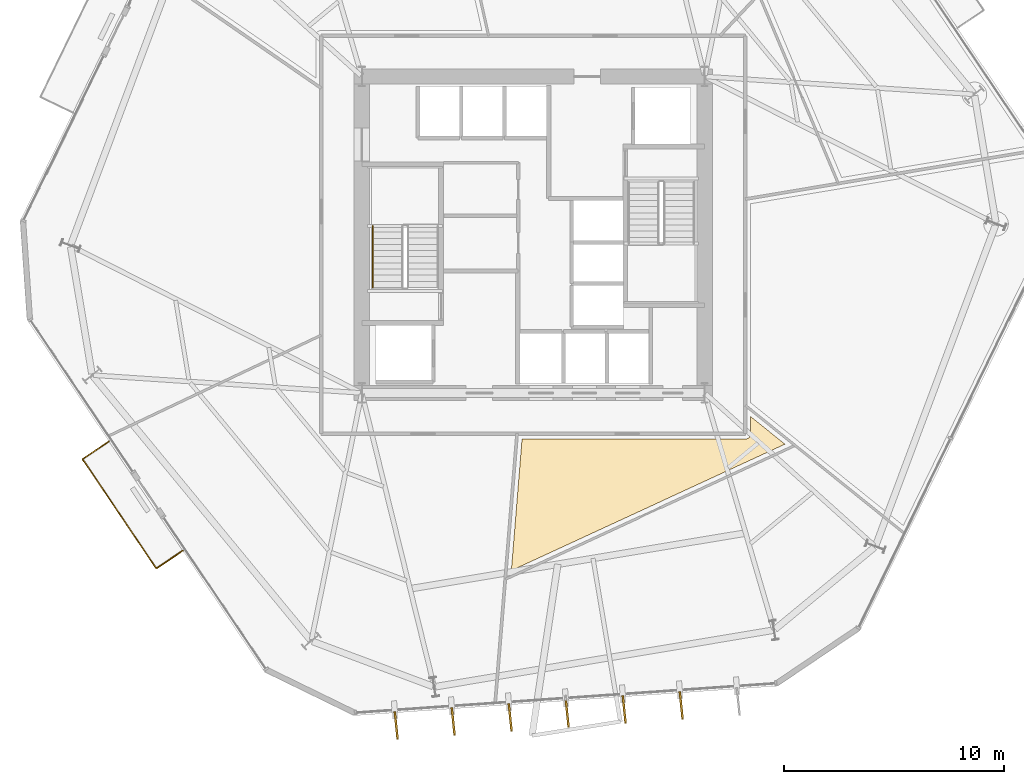
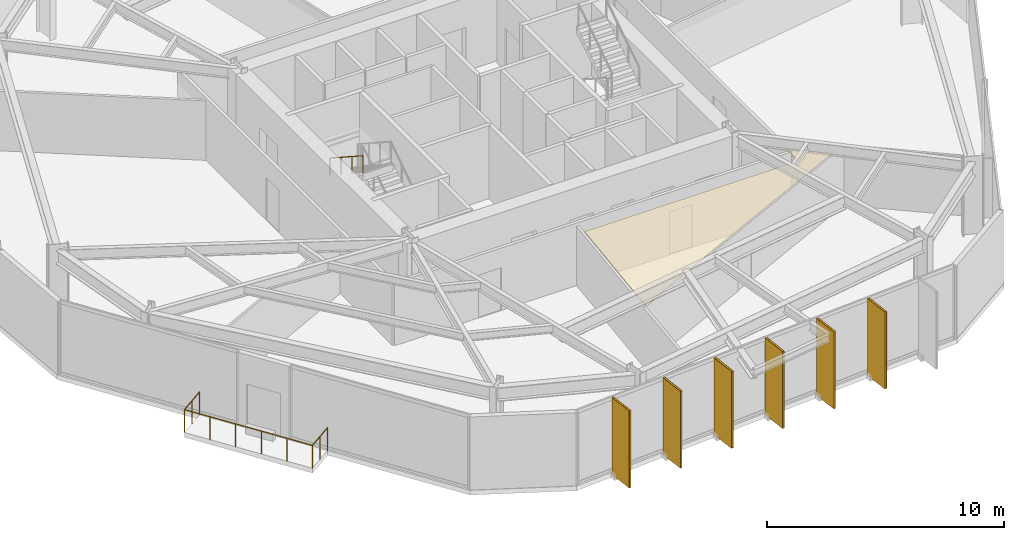
# One storey, part 8 of 10: 7 coverings, 6 shading devices, 2 railings.
"""IFC4 building model written with IfcOpenShell, lengths in metres."""

from ifc_helpers import new_model, si_unit, direction, frame, origin, origin_2d, place, context, subcontext, project, spatial, polyline, rectangle, circle, outline, extrude, material, layer, layer_set, type_object, element, save


model = new_model("IFC4")

# Units and contexts
model_context = context("Model", 3, precision=1e-05, world=origin(), true_north=direction((0.0, 1.0)))
body_context = subcontext(model_context, "Body", "Model", "MODEL_VIEW")
ifc_project = project(units=[si_unit("LENGTHUNIT", "METRE"), si_unit("AREAUNIT", "SQUARE_METRE"), si_unit("VOLUMEUNIT", "CUBIC_METRE"), si_unit("PLANEANGLEUNIT", "RADIAN"), si_unit("MASSUNIT", "GRAM", prefix="KILO")], contexts=[model_context])

# Site, building, storey
site_placement = place(None, origin())
site = spatial("IfcSite", under=ifc_project, at=site_placement, CompositionType="ELEMENT")
building_placement = place(site_placement, origin())
building = spatial("IfcBuilding", under=site, at=building_placement, Name="Kranzbogen Civic Tower", CompositionType="ELEMENT")
storey_placement = place(building_placement, frame((0.0, 0.0, 36.0)))
storey = spatial("IfcBuildingStorey", under=building, at=storey_placement, Name="L08", CompositionType="ELEMENT", Elevation=36.0)

# Coverings
ifc_material_1 = material(Name="Pale Anodised Aluminium", Category="aluminium")
ifc_layer_1 = layer(ifc_material_1, 0.02490234375, Name="Pale Anodised Aluminium")
ifc_layer_set_1 = layer_set([ifc_layer_1], Name="Pale Anodised Aluminium")
covering_type_1 = type_object("IfcCoveringType", Name="Anodised Aluminium Vertical Fin Cladding 25 mm", PredefinedType="CLADDING", material=ifc_layer_set_1)
for number, where, z_axis, x_axis, name in (
    (1, (18.763916015625, 2.673095703125, -0.139892578125), (0.0, 0.0, 1.0), (0.104059794277, -0.994571042819, 0.0), "L08 vertical fin pale-metal cladding F5-1"),
    (2, (21.35693359375, 2.85498046875, -0.139892578125), (0.0, 0.0, 1.0), (0.104059794277, -0.994571042819, 0.0), "L08 vertical fin pale-metal cladding F5-2"),
    (3, (23.950927734375, 3.035888671875, -0.139892578125), (0.0, 0.0, 1.0), (0.104059794277, -0.994571042819, 0.0), "L08 vertical fin pale-metal cladding F5-3"),
    (4, (26.544921875, 3.217041015625, -0.139892578125), (0.0, 0.0, 1.0), (0.104059794277, -0.994571042819, 0.0), "L08 vertical fin pale-metal cladding F5-4"),
    (5, (29.137939453125, 3.39892578125, -0.139892578125), (0.0, 0.0, 1.0), (0.104059794277, -0.994571042819, 0.0), "L08 vertical fin pale-metal cladding F5-5"),
    (6, (31.73193359375, 3.580078125, -0.139892578125), (0.0, 0.0, 1.0), (0.104059794277, -0.994571042819, 0.0), "L08 vertical fin pale-metal cladding F5-6"),
):
    element("IfcCovering", number, at=place(storey_placement, frame(where, z_axis=z_axis, x_axis=x_axis)), inside=storey, type_object=covering_type_1, Name=name, PredefinedType="CLADDING", context=body_context, shape_type="SweptSolid", body=[
        extrude(rectangle(XDim=1.25, YDim=0.10009765625, at=origin_2d()), origin(), (0.0, 0.0, 1.0), 3.9599609375),
    ])

# Shading devices
ifc_material_2 = material(Name="Anodised Bronze Aluminium", Category="aluminium")
shading_device_type = type_object("IfcShadingDeviceType", Name="Anodised Bronze Vertical Facade Fin 1250x80", PredefinedType="USERDEFINED", material=ifc_material_2)
for number, where, z_axis, x_axis, name in (
    (7, (18.763916015625, 2.673095703125, -0.139892578125), (0.0, 0.0, 1.0), (0.104059794277, -0.994571042819, 0.0), "L08 vertical exterior shading fin F5-1"),
    (8, (21.35693359375, 2.85498046875, -0.139892578125), (0.0, 0.0, 1.0), (0.104059794277, -0.994571042819, 0.0), "L08 vertical exterior shading fin F5-2"),
    (9, (23.950927734375, 3.035888671875, -0.139892578125), (0.0, 0.0, 1.0), (0.104059794277, -0.994571042819, 0.0), "L08 vertical exterior shading fin F5-3"),
    (10, (26.544921875, 3.217041015625, -0.139892578125), (0.0, 0.0, 1.0), (0.104059794277, -0.994571042819, 0.0), "L08 vertical exterior shading fin F5-4"),
    (11, (29.137939453125, 3.39892578125, -0.139892578125), (0.0, 0.0, 1.0), (0.104059794277, -0.994571042819, 0.0), "L08 vertical exterior shading fin F5-5"),
    (12, (31.73193359375, 3.580078125, -0.139892578125), (0.0, 0.0, 1.0), (0.104059794277, -0.994571042819, 0.0), "L08 vertical exterior shading fin F5-6"),
):
    element("IfcShadingDevice", number, at=place(storey_placement, frame(where, z_axis=z_axis, x_axis=x_axis)), inside=storey, type_object=shading_device_type, Name=name, ObjectType="FIN", PredefinedType="USERDEFINED", context=body_context, shape_type="SweptSolid", body=[
        extrude(rectangle(XDim=1.25, YDim=0.080078125, at=origin_2d()), origin(), (0.0, 0.0, 1.0), 3.9599609375),
    ])

# Railing
railing_type_1 = type_object("IfcRailingType", Name="Cantilevered Balcony Glass and Bronze Balustrade 1200", PredefinedType="BALUSTRADE", material=ifc_material_2)
railing_1_placement = place(storey_placement, frame((5.695068359375, 15.596923828125, 0.0)))
element("IfcRailing", 13, at=railing_1_placement, inside=storey, type_object=railing_type_1, Name="L08 exterior terrace balustrade L08-TB2", PredefinedType="BALUSTRADE", context=body_context, shape_type="SweptSolid", body=[
    extrude(circle(Radius=0.02392578125, at=origin_2d()), frame((0.0, 0.0, 1.17578125), z_axis=(-0.828981368781, -0.559276219961, 0.0), x_axis=(0.559276219961, -0.828981368781, 0.0)), (0.0, 0.0, 1.0), 1.4501953125),
    extrude(circle(Radius=0.02392578125, at=origin_2d()), frame((-1.2021484375, -0.81103515625, 1.17578125), z_axis=(0.559199559515, -0.829033082958, 0.0), x_axis=(0.829033082958, 0.559199559515, 0.0)), (0.0, 0.0, 1.0), 5.99951171875),
    extrude(circle(Radius=0.02392578125, at=origin_2d()), frame((2.15283203125, -5.784912109375, 1.17578125), z_axis=(0.828981368781, 0.559276219961, 0.0), x_axis=(-0.559276219961, 0.828981368781, 0.0)), (0.0, 0.0, 1.0), 1.4501953125),
    extrude(circle(Radius=0.02099609375, at=origin_2d()), origin(), (0.0, 0.0, 1.0), 1.15185546875),
    extrude(circle(Radius=0.02099609375, at=origin_2d()), frame((-0.60107421875, -0.405517578125, 0.0)), (0.0, 0.0, 1.0), 1.15185546875),
    extrude(circle(Radius=0.02099609375, at=origin_2d()), frame((-1.2021484375, -0.81103515625, 0.0)), (0.0, 0.0, 1.0), 1.15185546875),
    extrude(circle(Radius=0.02099609375, at=origin_2d()), frame((-0.53125, -1.805908203125, 0.0)), (0.0, 0.0, 1.0), 1.15185546875),
    extrude(circle(Radius=0.02099609375, at=origin_2d()), frame((0.139892578125, -2.800537109375, 0.0)), (0.0, 0.0, 1.0), 1.15185546875),
    extrude(circle(Radius=0.02099609375, at=origin_2d()), frame((0.810791015625, -3.79541015625, 0.0)), (0.0, 0.0, 1.0), 1.15185546875),
    extrude(circle(Radius=0.02099609375, at=origin_2d()), frame((1.48193359375, -4.7900390625, 0.0)), (0.0, 0.0, 1.0), 1.15185546875),
    extrude(circle(Radius=0.02099609375, at=origin_2d()), frame((2.15283203125, -5.784912109375, 0.0)), (0.0, 0.0, 1.0), 1.15185546875),
    extrude(circle(Radius=0.02099609375, at=origin_2d()), frame((2.75390625, -5.37939453125, 0.0)), (0.0, 0.0, 1.0), 1.15185546875),
    extrude(circle(Radius=0.02099609375, at=origin_2d()), frame((3.35498046875, -4.973876953125, 0.0)), (0.0, 0.0, 1.0), 1.15185546875),
])

# Covering
ifc_material_3 = material(Name="Perforated Acoustic Gypsum Ceiling")
ifc_layer_2 = layer(ifc_material_3, 0.02490234375, Name="Perforated Acoustic Gypsum Ceiling")
ifc_layer_set_2 = layer_set([ifc_layer_2], Name="Perforated Acoustic Gypsum Ceiling")
covering_type_2 = type_object("IfcCoveringType", Name="Perforated Acoustic Mineral Ceiling Tile 25 mm", PredefinedType="CEILING", material=ifc_layer_set_2)
covering_placement = place(storey_placement, frame((0.0, 0.0, 2.75)))
element("IfcCovering", 14, at=covering_placement, inside=storey, type_object=covering_type_2, Name="L08 Directorate Admin Workspace acoustic ceiling", PredefinedType="CEILING", context=body_context, shape_type="SweptSolid", body=[
    extrude(outline(polyline([(34.64990234375, 15.705078125), (34.658935546875, 15.705078125), (34.6650390625, 15.7060546875), (34.68310546875, 15.70703125), (34.68896484375, 15.7080078125), (34.7060546875, 15.7119140625), (34.712890625, 15.712890625), (34.72998046875, 15.718017578125), (34.736083984375, 15.719970703125), (34.751953125, 15.72705078125), (34.758056640625, 15.72998046875), (34.77294921875, 15.738037109375), (34.779052734375, 15.741943359375), (34.79296875, 15.7509765625), (34.798095703125, 15.7548828125), (34.81201171875, 15.76611328125), (34.81689453125, 15.77099609375), (34.8291015625, 15.782958984375), (34.833984375, 15.7880859375), (34.844970703125, 15.802001953125), (34.84912109375, 15.806884765625), (34.85791015625, 15.821044921875), (34.862060546875, 15.826904296875), (34.8701171875, 15.842041015625), (34.873046875, 15.847900390625), (34.8798828125, 15.864013671875), (34.882080078125, 15.8701171875), (34.886962890625, 15.886962890625), (34.887939453125, 15.89404296875), (34.89208984375, 15.910888671875), (34.89306640625, 15.9169921875), (34.89404296875, 15.93505859375), (34.89501953125, 15.94091796875), (34.89501953125, 15.949951171875), (34.89501953125, 16.72412109375), (36.452880859375, 15.469970703125), (24.00390625, 9.718017578125), (24.490966796875, 15.705078125), (34.64990234375, 15.705078125)])), origin(), (0.0, 0.0, 1.0), 0.02490234375),
])

# Railing
railing_type_2 = type_object("IfcRailingType", Name="Tubular Stainless Stair Wall Handrail 900", PredefinedType="HANDRAIL", material=ifc_material_1)
railing_2_placement = place(storey_placement, frame((17.699951171875, 25.39990234375, 2.181884765625)))
element("IfcRailing", 15, at=railing_2_placement, inside=storey, type_object=railing_type_2, Name="L08 ST-T1 stair handrail 2", PredefinedType="HANDRAIL", context=body_context, shape_type="SweptSolid", body=[
    extrude(circle(Radius=0.02392578125, at=origin_2d()), frame((0.0, 0.0, 0.8759765625), z_axis=(0.0, -0.83868413941, 0.544618136222), x_axis=(1.0, 0.0, 0.0)), (0.0, 0.0, 1.0), 3.33837890625),
    extrude(circle(Radius=0.02099609375, at=origin_2d()), origin(), (0.0, 0.0, 1.0), 0.851806640625),
    extrude(circle(Radius=0.02099609375, at=origin_2d()), frame((0.0, -0.933349609375, 0.60595703125)), (0.0, 0.0, 1.0), 0.851806640625),
    extrude(circle(Radius=0.02099609375, at=origin_2d()), frame((0.0, -1.866455078125, 1.212158203125)), (0.0, 0.0, 1.0), 0.851806640625),
    extrude(circle(Radius=0.02099609375, at=origin_2d()), frame((0.0, -2.7998046875, 1.818115234375)), (0.0, 0.0, 1.0), 0.851806640625),
])

save(model, "model.ifc")
